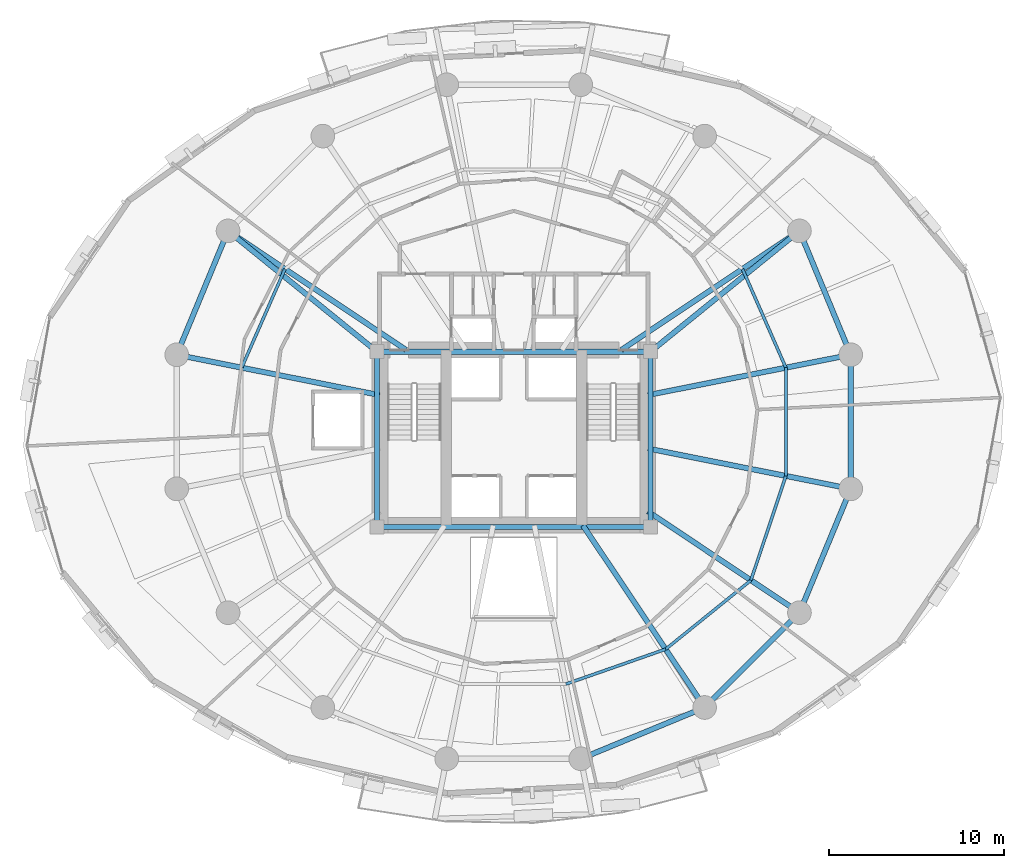
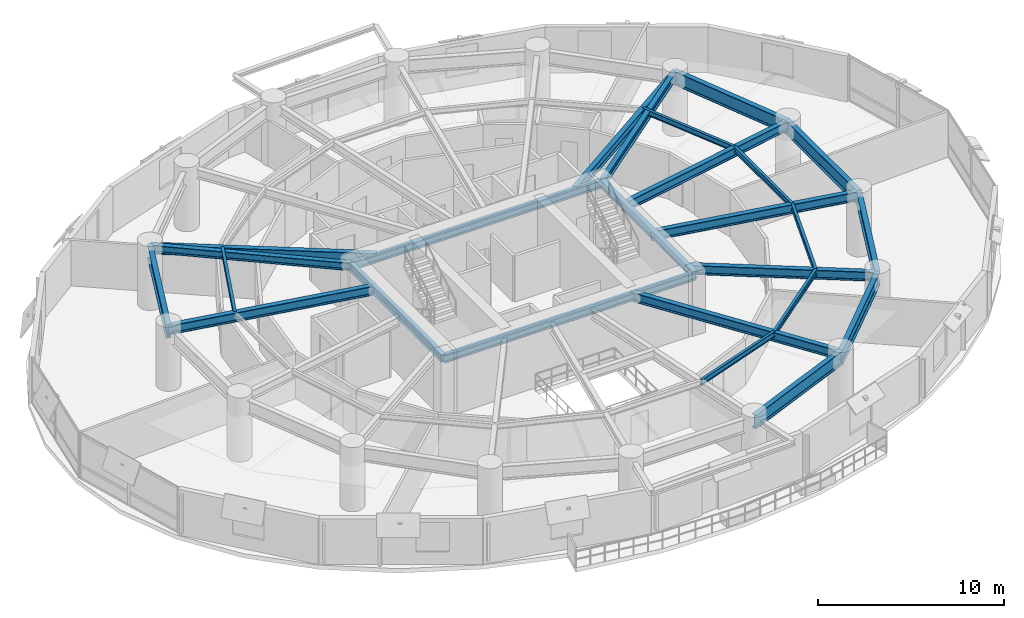
# One storey, part 7 of 16: 25 beams.
"""IFC4 building model written with IfcOpenShell, lengths in metres."""

from ifc_helpers import new_model, si_unit, direction, frame, origin, origin_2d, place, context, subcontext, project, spatial, i_section, extrude, material, material_profile, profile_set, type_object, element, save


model = new_model("IFC4")

# Units and contexts
model_context = context("Model", 3, precision=1e-05, world=origin(), true_north=direction((0.0, 1.0)))
body_context = subcontext(model_context, "Body", "Model", "MODEL_VIEW")
ifc_project = project(units=[si_unit("LENGTHUNIT", "METRE"), si_unit("AREAUNIT", "SQUARE_METRE"), si_unit("VOLUMEUNIT", "CUBIC_METRE"), si_unit("PLANEANGLEUNIT", "RADIAN"), si_unit("MASSUNIT", "GRAM", prefix="KILO"), si_unit("THERMODYNAMICTEMPERATUREUNIT", "KELVIN"), si_unit("POWERUNIT", "WATT")], contexts=[model_context])

# Site, building, storey
site_placement = place(None, origin())
site = spatial("IfcSite", under=ifc_project, at=site_placement, CompositionType="ELEMENT")
building_placement = place(site_placement, origin())
building = spatial("IfcBuilding", under=site, at=building_placement, Name="Ocrelia Relay Tower", CompositionType="ELEMENT")
storey_placement = place(building_placement, frame((0.0, 0.0, 42.60009765625)))
storey = spatial("IfcBuildingStorey", under=building, at=storey_placement, Name="L09", CompositionType="ELEMENT", Elevation=42.60009765625)

# Beams
ifc_material = material(Name="Steel S355", Category="steel")
ifc_material_profile_1 = material_profile(ifc_material, i_section(OverallWidth=0.300048828125, OverallDepth=0.5, WebThickness=0.014404296875, FlangeThickness=0.028076171875, FilletRadius=0.027099609375, at=origin_2d()), Name="HEB 500")
ifc_profile_set_1 = profile_set([ifc_material_profile_1], Name="Steel S355")
beam_type_1 = type_object("IfcBeamType", Name="BM-HEB500", PredefinedType="BEAM", material=ifc_profile_set_1)
for number, where, z_axis, x_axis, name in (
    (1, (26.199951171875, 20.0, 3.669921875), (1.0, 0.0, 0.0), (0.0, 1.0, 0.0), "L09 Core Pilaster Tie Beam S"),
    (2, (26.199951171875, 30.0, 3.669921875), (1.0, 0.0, 0.0), (0.0, 1.0, 0.0), "L09 Core Pilaster Tie Beam N"),
):
    element("IfcBeam", number, at=place(storey_placement, frame(where, z_axis=z_axis, x_axis=x_axis)), inside=storey, type_object=beam_type_1, Name=name, PredefinedType="BEAM", context=body_context, shape_type="SweptSolid", body=[
        extrude(i_section(OverallWidth=0.300048828125, OverallDepth=0.5, WebThickness=0.014404296875, FlangeThickness=0.028076171875, FilletRadius=0.027099609375, at=origin_2d()), origin(), (0.0, 0.0, 1.0), 15.60009765625),
    ])
for number, where, z_axis, x_axis, name in (
    (3, (26.199951171875, 20.0, 3.669921875), (0.0, 1.0, 0.0), (-1.0, 0.0, 0.0), "L09 Core Pilaster Tie Beam W"),
    (4, (41.800048828125, 20.0, 3.669921875), (0.0, 1.0, 0.0), (-1.0, 0.0, 0.0), "L09 Core Pilaster Tie Beam E"),
):
    element("IfcBeam", number, at=place(storey_placement, frame(where, z_axis=z_axis, x_axis=x_axis)), inside=storey, type_object=beam_type_1, Name=name, PredefinedType="BEAM", context=body_context, shape_type="SweptSolid", body=[
        extrude(i_section(OverallWidth=0.300048828125, OverallDepth=0.5, WebThickness=0.014404296875, FlangeThickness=0.028076171875, FilletRadius=0.027099609375, at=origin_2d()), origin(), (0.0, 0.0, 1.0), 10.0),
    ])
for number, where, z_axis, x_axis, name in (
    (5, (50.296875, 36.88916015625, 3.669921875), (-0.776762830896, -0.629793223637, 0.0), (0.629793223637, -0.776762830896, 0.0), "L09 Core Pilaster Frame Tie Beam PT02"),
    (6, (17.703125, 36.88916015625, 3.669921875), (0.776762830896, -0.629793223637, 0.0), (0.629793223637, 0.776762830896, 0.0), "L09 Core Pilaster Frame Tie Beam PT07"),
):
    element("IfcBeam", number, at=place(storey_placement, frame(where, z_axis=z_axis, x_axis=x_axis)), inside=storey, type_object=beam_type_1, Name=name, PredefinedType="BEAM", context=body_context, shape_type="SweptSolid", body=[
        extrude(i_section(OverallWidth=0.300048828125, OverallDepth=0.5, WebThickness=0.014404296875, FlangeThickness=0.028076171875, FilletRadius=0.027099609375, at=origin_2d()), origin(), (0.0, 0.0, 1.0), 10.938720703125),
    ])
ifc_material_profile_2 = material_profile(ifc_material, i_section(OverallWidth=0.300048828125, OverallDepth=0.60009765625, WebThickness=0.015380859375, FlangeThickness=0.030029296875, FilletRadius=0.027099609375, at=origin_2d()), Name="HEB 600")
ifc_profile_set_2 = profile_set([ifc_material_profile_2], Name="Steel S355")
beam_type_2 = type_object("IfcBeamType", Name="BM-HEB600", PredefinedType="BEAM", material=ifc_profile_set_2)
beam_1_placement = place(storey_placement, frame((53.223388671875, 29.82373046875, 3.619873046875), z_axis=(-0.980786324446, -0.195085073187, 0.0), x_axis=(0.195085073187, -0.980786324446, 0.0)))
element("IfcBeam", 7, at=beam_1_placement, inside=storey, type_object=beam_type_2, Name="L09 Radial Floor Girder R01", PredefinedType="BEAM", context=body_context, shape_type="SweptSolid", body=[
    extrude(i_section(OverallWidth=0.300048828125, OverallDepth=0.60009765625, WebThickness=0.015380859375, FlangeThickness=0.030029296875, FilletRadius=0.027099609375, at=origin_2d()), origin(), (0.0, 0.0, 1.0), 11.794921875),
])
for number, where, z_axis, x_axis, name in (
    (8, (50.296875, 36.88916015625, 3.619873046875), (-0.831471581268, -0.555567286243, 0.0), (0.555567286243, -0.831471581268, 0.0), "L09 Radial Floor Girder R02"),
    (9, (17.703125, 36.88916015625, 3.619873046875), (0.831471581268, -0.555567286243, 0.0), (0.555567286243, 0.831471581268, 0.0), "L09 Radial Floor Girder R07"),
):
    element("IfcBeam", number, at=place(storey_placement, frame(where, z_axis=z_axis, x_axis=x_axis)), inside=storey, type_object=beam_type_2, Name=name, PredefinedType="BEAM", context=body_context, shape_type="SweptSolid", body=[
        extrude(i_section(OverallWidth=0.300048828125, OverallDepth=0.60009765625, WebThickness=0.015380859375, FlangeThickness=0.030029296875, FilletRadius=0.027099609375, at=origin_2d()), origin(), (0.0, 0.0, 1.0), 12.211181640625),
    ])
beam_2_placement = place(storey_placement, frame((14.776611328125, 29.82373046875, 3.619873046875), z_axis=(0.980786938484, -0.195081986098, 0.0), x_axis=(0.195081986098, 0.980786938484, 0.0)))
element("IfcBeam", 10, at=beam_2_placement, inside=storey, type_object=beam_type_2, Name="L09 Radial Floor Girder R08", PredefinedType="BEAM", context=body_context, shape_type="SweptSolid", body=[
    extrude(i_section(OverallWidth=0.300048828125, OverallDepth=0.60009765625, WebThickness=0.015380859375, FlangeThickness=0.030029296875, FilletRadius=0.027099609375, at=origin_2d()), origin(), (0.0, 0.0, 1.0), 11.80517578125),
])
beam_3_placement = place(storey_placement, frame((44.88916015625, 9.703125, 3.619873046875), z_axis=(-0.555569912646, 0.831469826369, 0.0), x_axis=(-0.831469826369, -0.555569912646, 0.0)))
element("IfcBeam", 11, at=beam_3_placement, inside=storey, type_object=beam_type_2, Name="L09 Radial Floor Girder R14", PredefinedType="BEAM", context=body_context, shape_type="SweptSolid", body=[
    extrude(i_section(OverallWidth=0.300048828125, OverallDepth=0.60009765625, WebThickness=0.015380859375, FlangeThickness=0.030029296875, FilletRadius=0.027099609375, at=origin_2d()), origin(), (0.0, 0.0, 1.0), 12.498046875),
])
beam_4_placement = place(storey_placement, frame((50.296875, 15.11083984375, 3.619873046875), z_axis=(-0.831475246583, 0.555561800631, 0.0), x_axis=(-0.555561800631, -0.831475246583, 0.0)))
element("IfcBeam", 12, at=beam_4_placement, inside=storey, type_object=beam_type_2, Name="L09 Radial Floor Girder R15", PredefinedType="BEAM", context=body_context, shape_type="SweptSolid", body=[
    extrude(i_section(OverallWidth=0.300048828125, OverallDepth=0.60009765625, WebThickness=0.015380859375, FlangeThickness=0.030029296875, FilletRadius=0.027099609375, at=origin_2d()), origin(), (0.0, 0.0, 1.0), 10.393310546875),
])
beam_5_placement = place(storey_placement, frame((53.223388671875, 22.17626953125, 3.619873046875), z_axis=(-0.980786324446, 0.195085073187, 0.0), x_axis=(-0.195085073187, -0.980786324446, 0.0)))
element("IfcBeam", 13, at=beam_5_placement, inside=storey, type_object=beam_type_2, Name="L09 Radial Floor Girder R16", PredefinedType="BEAM", context=body_context, shape_type="SweptSolid", body=[
    extrude(i_section(OverallWidth=0.300048828125, OverallDepth=0.60009765625, WebThickness=0.015380859375, FlangeThickness=0.030029296875, FilletRadius=0.027099609375, at=origin_2d()), origin(), (0.0, 0.0, 1.0), 11.794921875),
])
ifc_material_profile_3 = material_profile(ifc_material, i_section(OverallWidth=0.300048828125, OverallDepth=0.89990234375, WebThickness=0.0185546875, FlangeThickness=0.034912109375, FilletRadius=0.030029296875, at=origin_2d()), Name="HEB 900")
ifc_profile_set_3 = profile_set([ifc_material_profile_3], Name="Steel S355")
beam_type_3 = type_object("IfcBeamType", Name="BM-HEB900", PredefinedType="BEAM", material=ifc_profile_set_3)
for number, where, z_axis, x_axis, name in (
    (14, (53.223388671875, 29.82373046875, 3.469970703125), (-0.382674154222, 0.923883375589, 0.0), (-0.923883375589, -0.382674154222, 0.0), "L09 Perimeter Spandrel Beam S01"),
    (15, (17.703125, 36.88916015625, 3.469970703125), (-0.382674154222, -0.923883375589, 0.0), (0.923883375589, -0.382674154222, 0.0), "L09 Perimeter Spandrel Beam S07"),
    (16, (37.82373046875, 6.776611328125, 3.469970703125), (0.923883375589, 0.382674154222, 0.0), (-0.382674154222, 0.923883375589, 0.0), "L09 Perimeter Spandrel Beam S13"),
):
    element("IfcBeam", number, at=place(storey_placement, frame(where, z_axis=z_axis, x_axis=x_axis)), inside=storey, type_object=beam_type_3, Name=name, PredefinedType="BEAM", context=body_context, shape_type="SweptSolid", body=[
        extrude(i_section(OverallWidth=0.300048828125, OverallDepth=0.89990234375, WebThickness=0.0185546875, FlangeThickness=0.034912109375, FilletRadius=0.030029296875, at=origin_2d()), origin(), (0.0, 0.0, 1.0), 7.6474609375),
    ])
beam_6_placement = place(storey_placement, frame((44.88916015625, 9.703125, 3.469970703125), z_axis=(0.707106781187, 0.707106781187, 0.0), x_axis=(-0.707106781187, 0.707106781187, 0.0)))
element("IfcBeam", 17, at=beam_6_placement, inside=storey, type_object=beam_type_3, Name="L09 Perimeter Spandrel Beam S14", PredefinedType="BEAM", context=body_context, shape_type="SweptSolid", body=[
    extrude(i_section(OverallWidth=0.300048828125, OverallDepth=0.89990234375, WebThickness=0.0185546875, FlangeThickness=0.034912109375, FilletRadius=0.030029296875, at=origin_2d()), origin(), (0.0, 0.0, 1.0), 7.647705078125),
])
for number, where, z_axis, x_axis, name in (
    (18, (50.296875, 15.11083984375, 3.469970703125), (0.382674154222, 0.923883375589, 0.0), (-0.923883375589, 0.382674154222, 0.0), "L09 Perimeter Spandrel Beam S15"),
    (19, (53.223388671875, 22.17626953125, 3.469970703125), (0.0, 1.0, 0.0), (-1.0, 0.0, 0.0), "L09 Perimeter Spandrel Beam S16"),
):
    element("IfcBeam", number, at=place(storey_placement, frame(where, z_axis=z_axis, x_axis=x_axis)), inside=storey, type_object=beam_type_3, Name=name, PredefinedType="BEAM", context=body_context, shape_type="SweptSolid", body=[
        extrude(i_section(OverallWidth=0.300048828125, OverallDepth=0.89990234375, WebThickness=0.0185546875, FlangeThickness=0.034912109375, FilletRadius=0.030029296875, at=origin_2d()), origin(), (0.0, 0.0, 1.0), 7.6474609375),
    ])
ifc_material_profile_4 = material_profile(ifc_material, i_section(OverallWidth=0.169921875, OverallDepth=0.360107421875, WebThickness=0.008056640625, FlangeThickness=0.0126953125, FilletRadius=0.01806640625, at=origin_2d()), Name="IPE 360")
ifc_profile_set_4 = profile_set([ifc_material_profile_4], Name="Steel S355")
beam_type_4 = type_object("IfcBeamType", Name="BM-IPE360", PredefinedType="JOIST", material=ifc_profile_set_4)
beam_7_placement = place(storey_placement, frame((49.521484375, 29.08740234375, 3.739990234375), z_axis=(-0.402201104053, 0.915551348586, 0.0), x_axis=(-0.915551348586, -0.402201104053, 0.0)))
element("IfcBeam", 20, at=beam_7_placement, inside=storey, type_object=beam_type_4, Name="L09 Secondary Floor Joist J01", PredefinedType="JOIST", context=body_context, shape_type="SweptSolid", body=[
    extrude(i_section(OverallWidth=0.169921875, OverallDepth=0.360107421875, WebThickness=0.008056640625, FlangeThickness=0.0126953125, FilletRadius=0.01806640625, at=origin_2d()), origin(), (0.0, 0.0, 1.0), 6.150146484375),
])
beam_8_placement = place(storey_placement, frame((20.9521484375, 34.71826171875, 3.739990234375), z_axis=(-0.401739185135, -0.915754130281, 0.0), x_axis=(0.915754130281, -0.401739185135, 0.0)))
element("IfcBeam", 21, at=beam_8_placement, inside=storey, type_object=beam_type_4, Name="L09 Secondary Floor Joist J07", PredefinedType="JOIST", context=body_context, shape_type="SweptSolid", body=[
    extrude(i_section(OverallWidth=0.169921875, OverallDepth=0.360107421875, WebThickness=0.008056640625, FlangeThickness=0.0126953125, FilletRadius=0.01806640625, at=origin_2d()), origin(), (0.0, 0.0, 1.0), 6.1494140625),
])
beam_9_placement = place(storey_placement, frame((36.97607421875, 11.03857421875, 3.739990234375), z_axis=(0.943957429675, 0.330067221882, 0.0), x_axis=(-0.330067221882, 0.943957429675, 0.0)))
element("IfcBeam", 22, at=beam_9_placement, inside=storey, type_object=beam_type_4, Name="L09 Secondary Floor Joist J13", PredefinedType="JOIST", context=body_context, shape_type="SweptSolid", body=[
    extrude(i_section(OverallWidth=0.169921875, OverallDepth=0.360107421875, WebThickness=0.008056640625, FlangeThickness=0.0126953125, FilletRadius=0.01806640625, at=origin_2d()), origin(), (0.0, 0.0, 1.0), 6.029052734375),
])
beam_10_placement = place(storey_placement, frame((42.667236328125, 13.028564453125, 3.739990234375), z_axis=(0.777854562422, 0.628444333031, 0.0), x_axis=(-0.628444333031, 0.777854562422, 0.0)))
element("IfcBeam", 23, at=beam_10_placement, inside=storey, type_object=beam_type_4, Name="L09 Secondary Floor Joist J14", PredefinedType="JOIST", context=body_context, shape_type="SweptSolid", body=[
    extrude(i_section(OverallWidth=0.169921875, OverallDepth=0.360107421875, WebThickness=0.008056640625, FlangeThickness=0.0126953125, FilletRadius=0.01806640625, at=origin_2d()), origin(), (0.0, 0.0, 1.0), 6.25341796875),
])
beam_11_placement = place(storey_placement, frame((47.531494140625, 16.95849609375, 3.739990234375), z_axis=(0.31698600471, 0.948430215049, 0.0), x_axis=(-0.948430215049, 0.31698600471, 0.0)))
element("IfcBeam", 24, at=beam_11_placement, inside=storey, type_object=beam_type_4, Name="L09 Secondary Floor Joist J15", PredefinedType="JOIST", context=body_context, shape_type="SweptSolid", body=[
    extrude(i_section(OverallWidth=0.169921875, OverallDepth=0.360107421875, WebThickness=0.008056640625, FlangeThickness=0.0126953125, FilletRadius=0.01806640625, at=origin_2d()), origin(), (0.0, 0.0, 1.0), 6.27783203125),
])
beam_12_placement = place(storey_placement, frame((49.521484375, 22.91259765625, 3.739990234375), z_axis=(0.0, 1.0, 0.0), x_axis=(-1.0, 0.0, 0.0)))
element("IfcBeam", 25, at=beam_12_placement, inside=storey, type_object=beam_type_4, Name="L09 Secondary Floor Joist J16", PredefinedType="JOIST", context=body_context, shape_type="SweptSolid", body=[
    extrude(i_section(OverallWidth=0.169921875, OverallDepth=0.360107421875, WebThickness=0.008056640625, FlangeThickness=0.0126953125, FilletRadius=0.01806640625, at=origin_2d()), origin(), (0.0, 0.0, 1.0), 6.1748046875),
])

save(model, "model.ifc")
